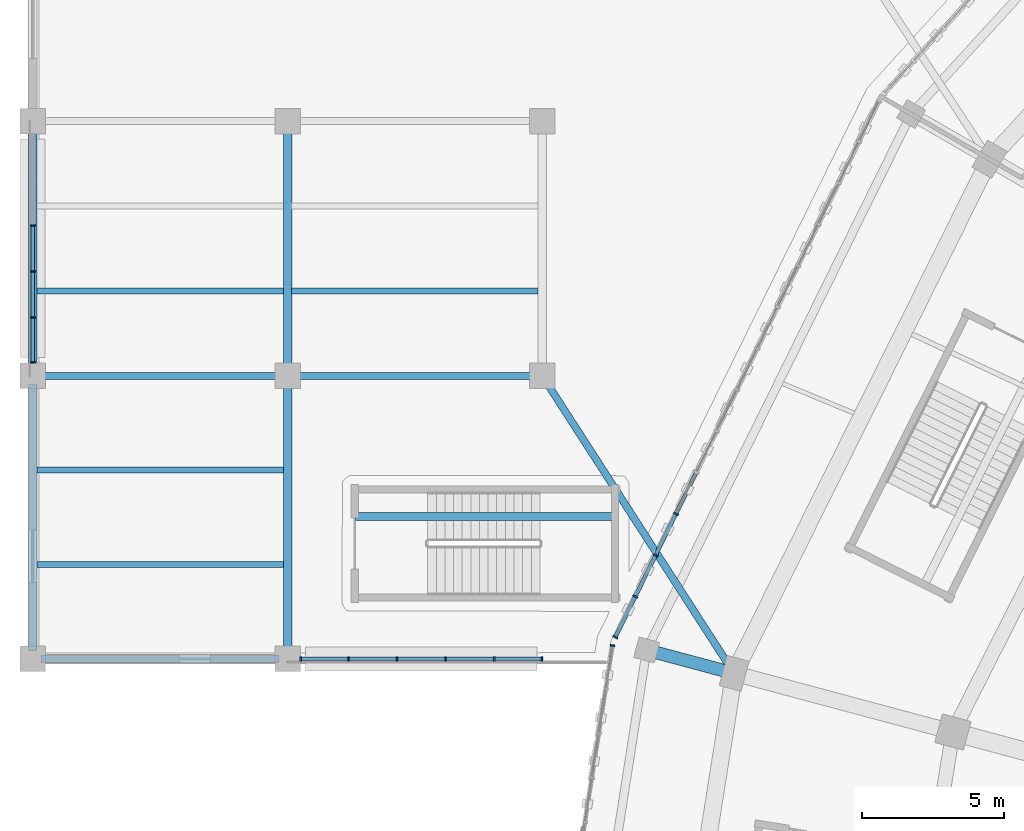
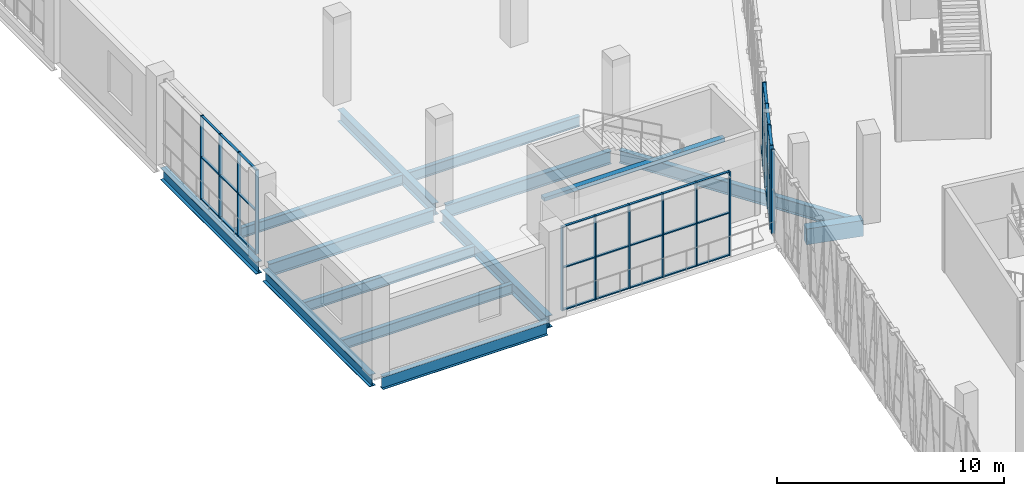
# One storey, part 23 of 183: 49 members, 14 beams, 4 elements without a shape of their own.
"""IFC4 building model written with IfcOpenShell, lengths in metres."""

from ifc_helpers import new_model, si_unit, direction, frame, origin, origin_2d, place, context, subcontext, project, spatial, rectangle, i_section, extrude, material, material_profile, profile_set, type_object, element, aggregate, save


model = new_model("IFC4")

# Units and contexts
model_context = context("Model", 3, precision=1e-05, world=origin(), true_north=direction((0.0, 1.0)))
body_context = subcontext(model_context, "Body", "Model", "MODEL_VIEW")
ifc_project = project(units=[si_unit("LENGTHUNIT", "METRE"), si_unit("AREAUNIT", "SQUARE_METRE"), si_unit("VOLUMEUNIT", "CUBIC_METRE"), si_unit("PLANEANGLEUNIT", "RADIAN"), si_unit("MASSUNIT", "GRAM", prefix="KILO")], contexts=[model_context])

# Site, building, storey
site_placement = place(None, origin())
site = spatial("IfcSite", under=ifc_project, at=site_placement, CompositionType="ELEMENT")
building_placement = place(site_placement, origin())
building = spatial("IfcBuilding", under=site, at=building_placement, Name="Zevraka Park Crest Stadium", CompositionType="ELEMENT")
storey_placement = place(building_placement, frame((0.0, 0.0, 5.39990234375)))
storey = spatial("IfcBuildingStorey", under=building, at=storey_placement, Name="L01", CompositionType="ELEMENT", Elevation=5.39990234375)

# Beams
ifc_material_1 = material(Name="Concrete C40/50", Category="concrete")
ifc_material_profile_1 = material_profile(ifc_material_1, rectangle(XDim=0.449951171875, YDim=0.85009765625, at=origin_2d()), Name="RC 850x450")
ifc_profile_set_1 = profile_set([ifc_material_profile_1], Name="Concrete C40/50")
beam_type_1 = type_object("IfcBeamType", Name="BG03", PredefinedType="BEAM", material=ifc_profile_set_1)
beam_1_placement = place(storey_placement, frame((24.487060546875, 111.56689453125, -0.434814453125), z_axis=(-0.965992888406, 0.258568636051, 0.0), x_axis=(-0.258568636051, -0.965992888406, 0.0)))
element("IfcBeam", 1, at=beam_1_placement, inside=storey, type_object=beam_type_1, Name="Radial Girder BG03 L01-DE-11", PredefinedType="BEAM", context=body_context, shape_type="SweptSolid", body=[
    extrude(rectangle(XDim=0.449951171875, YDim=0.85009765625, at=origin_2d()), origin(), (0.0, 0.0, 1.0), 2.599365234375),
])
ifc_material_2 = material(Name="Steel S355", Category="steel")
ifc_material_profile_2 = material_profile(ifc_material_2, i_section(OverallWidth=0.253662109375, OverallDepth=0.68359375, WebThickness=0.012451171875, FlangeThickness=0.01904296875, at=origin_2d()), Name="UKB 686x254x140")
ifc_profile_set_2 = profile_set([ifc_material_profile_2], Name="Steel S355")
beam_type_2 = type_object("IfcBeamType", Name="BG05", PredefinedType="BEAM", material=ifc_profile_set_2)
for number, where, z_axis, x_axis, name in (
    (2, (0.300048828125, 112.0, -0.649658203125), (1.0, 0.0, 0.0), (0.0, 1.0, 0.0), "Wing Girder BG05 L01-12/N"),
    (3, (0.300048828125, 122.0, -0.649658203125), (1.0, 0.0, 0.0), (0.0, 1.0, 0.0), "Wing Girder BG05 L01-12/P"),
    (4, (9.300048828125, 122.0, -0.649658203125), (1.0, 0.0, 0.0), (0.0, 1.0, 0.0), "Wing Girder BG05 L01-23/P"),
):
    element("IfcBeam", number, at=place(storey_placement, frame(where, z_axis=z_axis, x_axis=x_axis)), inside=storey, type_object=beam_type_2, Name=name, PredefinedType="BEAM", context=body_context, shape_type="SweptSolid", body=[
        extrude(i_section(OverallWidth=0.253662109375, OverallDepth=0.68359375, WebThickness=0.012451171875, FlangeThickness=0.01904296875, at=origin_2d()), origin(), (0.0, 0.0, 1.0), 8.39990234375),
    ])
beam_2_placement = place(storey_placement, frame((18.10791015625, 121.83203125, -0.649658203125), z_axis=(0.541895124662, -0.840446115981, 0.0), x_axis=(0.840446115981, 0.541895124662, 0.0)))
element("IfcBeam", 5, at=beam_2_placement, inside=storey, type_object=beam_type_2, Name="Wing Link Girder BG05 L01-3/P", PredefinedType="BEAM", context=body_context, shape_type="SweptSolid", body=[
    extrude(i_section(OverallWidth=0.253662109375, OverallDepth=0.68359375, WebThickness=0.012451171875, FlangeThickness=0.01904296875, at=origin_2d()), origin(), (0.0, 0.0, 1.0), 11.927001953125),
])
ifc_material_3 = material(Name="Steel S355", Category="steel")
ifc_material_profile_3 = material_profile(ifc_material_3, i_section(OverallWidth=0.300048828125, OverallDepth=0.64990234375, WebThickness=0.01611328125, FlangeThickness=0.031005859375, at=origin_2d()), Name="HEB 650")
ifc_profile_set_3 = profile_set([ifc_material_profile_3], Name="Steel S355")
beam_type_3 = type_object("IfcBeamType", Name="BG07", PredefinedType="BEAM", material=ifc_profile_set_3)
beam_3_placement = place(storey_placement, frame((0.0, 112.300048828125, -0.6328125), z_axis=(0.0, 1.0, 0.0), x_axis=(-1.0, 0.0, 0.0)))
element("IfcBeam", 6, at=beam_3_placement, inside=storey, type_object=beam_type_3, Name="Wing Girder BG07 L01-1/NP", PredefinedType="BEAM", context=body_context, shape_type="SweptSolid", body=[
    extrude(i_section(OverallWidth=0.300048828125, OverallDepth=0.64990234375, WebThickness=0.01611328125, FlangeThickness=0.031005859375, at=origin_2d()), origin(), (0.0, 0.0, 1.0), 9.39990234375),
])
beam_4_placement = place(storey_placement, frame((0.0, 122.300048828125, -0.6328125), z_axis=(0.0, 1.0, 0.0), x_axis=(-1.0, 0.0, 0.0)))
element("IfcBeam", 7, at=beam_4_placement, inside=storey, type_object=beam_type_3, Name="Wing Girder BG07 L01-1/PQ", PredefinedType="BEAM", context=body_context, shape_type="SweptSolid", body=[
    extrude(i_section(OverallWidth=0.300048828125, OverallDepth=0.64990234375, WebThickness=0.01611328125, FlangeThickness=0.031005859375, at=origin_2d()), origin(), (0.0, 0.0, 1.0), 8.39990234375),
])
beam_5_placement = place(storey_placement, frame((9.0, 112.300048828125, -0.6328125), z_axis=(0.0, 1.0, 0.0), x_axis=(-1.0, 0.0, 0.0)))
element("IfcBeam", 8, at=beam_5_placement, inside=storey, type_object=beam_type_3, Name="Wing Girder BG07 L01-2/NP", PredefinedType="BEAM", context=body_context, shape_type="SweptSolid", body=[
    extrude(i_section(OverallWidth=0.300048828125, OverallDepth=0.64990234375, WebThickness=0.01611328125, FlangeThickness=0.031005859375, at=origin_2d()), origin(), (0.0, 0.0, 1.0), 9.39990234375),
])
beam_6_placement = place(storey_placement, frame((9.0, 122.300048828125, -0.6328125), z_axis=(0.0, 1.0, 0.0), x_axis=(-1.0, 0.0, 0.0)))
element("IfcBeam", 9, at=beam_6_placement, inside=storey, type_object=beam_type_3, Name="Wing Girder BG07 L01-2/PQ", PredefinedType="BEAM", context=body_context, shape_type="SweptSolid", body=[
    extrude(i_section(OverallWidth=0.300048828125, OverallDepth=0.64990234375, WebThickness=0.01611328125, FlangeThickness=0.031005859375, at=origin_2d()), origin(), (0.0, 0.0, 1.0), 8.39990234375),
])

# Curtain wall, member
ifc_material_4 = material(Name="Anodised architectural aluminium and laminated safety glass", Category="aluminium")
curtain_wall_type_1 = type_object("IfcCurtainWallType", Name="CW01", PredefinedType="NOTDEFINED", material=ifc_material_4)
curtain_wall_1_placement = place(storey_placement, origin())
curtain_wall_1 = element("IfcCurtainWall", 10, at=curtain_wall_1_placement, inside=storey, type_object=curtain_wall_type_1, Name="Unitised Ring Curtain Wall CW01 L01-11", PredefinedType="NOTDEFINED")
ifc_material_5 = material(Name="Anodised architectural aluminium", Category="aluminium")
ifc_material_profile_4 = material_profile(ifc_material_5, rectangle(XDim=0.159912109375, YDim=0.06005859375, at=origin_2d()), Name="ALU MULLION 160x60")
ifc_profile_set_4 = profile_set([ifc_material_profile_4], Name="Anodised architectural aluminium")
member_type_1 = type_object("IfcMemberType", Name="CM01", PredefinedType="MULLION", material=ifc_profile_set_4)
member_1_placement = place(storey_placement, frame((20.482421875, 112.473388671875, 0.0), z_axis=(0.0, 0.0, 1.0), x_axis=(0.987996544735, -0.154475977394, 0.0)))
member_1 = element("IfcMember", 11, at=member_1_placement, type_object=member_type_1, Name="CW01 mullion 1", PredefinedType="MULLION", context=body_context, shape_type="SweptSolid", body=[
    extrude(rectangle(XDim=0.159912109375, YDim=0.06005859375, at=origin_2d()), origin(), (0.0, 0.0, 1.0), 4.52001953125),
])
aggregate(curtain_wall_1, [member_1])

# Curtain wall, members
ifc_material_6 = material(Name="Anodised architectural aluminium and laminated safety glass", Category="aluminium")
curtain_wall_type_2 = type_object("IfcCurtainWallType", Name="CW28", PredefinedType="NOTDEFINED", material=ifc_material_6)
curtain_wall_2_placement = place(storey_placement, origin())
curtain_wall_2 = element("IfcCurtainWall", 12, at=curtain_wall_2_placement, inside=storey, type_object=curtain_wall_type_2, Name="Wing Curtain Wall CW28 L01-NW-W-2", PredefinedType="NOTDEFINED")
member_2_placement = place(storey_placement, frame((0.0, 122.469970703125, 0.0), z_axis=(0.0, 0.0, 1.0), x_axis=(-1.0, 0.0, 0.0)))
member_2 = element("IfcMember", 13, at=member_2_placement, type_object=member_type_1, Name="CW28 mullion 1", PredefinedType="MULLION", context=body_context, shape_type="SweptSolid", body=[
    extrude(rectangle(XDim=0.159912109375, YDim=0.06005859375, at=origin_2d()), origin(), (0.0, 0.0, 1.0), 4.52001953125),
])
member_3_placement = place(storey_placement, frame((0.0, 124.06396484375, 0.0), z_axis=(0.0, 0.0, 1.0), x_axis=(-1.0, 0.0, 0.0)))
member_3 = element("IfcMember", 14, at=member_3_placement, type_object=member_type_1, Name="CW28 mullion 2", PredefinedType="MULLION", context=body_context, shape_type="SweptSolid", body=[
    extrude(rectangle(XDim=0.159912109375, YDim=0.06005859375, at=origin_2d()), origin(), (0.0, 0.0, 1.0), 4.52001953125),
])
member_4_placement = place(storey_placement, frame((0.0, 125.68798828125, 0.0), z_axis=(0.0, 0.0, 1.0), x_axis=(-1.0, 0.0, 0.0)))
member_4 = element("IfcMember", 15, at=member_4_placement, type_object=member_type_1, Name="CW28 mullion 3", PredefinedType="MULLION", context=body_context, shape_type="SweptSolid", body=[
    extrude(rectangle(XDim=0.159912109375, YDim=0.06005859375, at=origin_2d()), origin(), (0.0, 0.0, 1.0), 4.52001953125),
])
member_5_placement = place(storey_placement, frame((0.0, 127.31201171875, 0.0), z_axis=(0.0, 0.0, 1.0), x_axis=(-1.0, 0.0, 0.0)))
member_5 = element("IfcMember", 16, at=member_5_placement, type_object=member_type_1, Name="CW28 mullion 4", PredefinedType="MULLION", context=body_context, shape_type="SweptSolid", body=[
    extrude(rectangle(XDim=0.159912109375, YDim=0.06005859375, at=origin_2d()), origin(), (0.0, 0.0, 1.0), 4.52001953125),
])

curtain_wall_3_placement = place(storey_placement, origin())
curtain_wall_3 = element("IfcCurtainWall", 17, at=curtain_wall_3_placement, inside=storey, type_object=curtain_wall_type_2, Name="Wing Curtain Wall CW28 L01-NW-S0-2", PredefinedType="NOTDEFINED")
member_6_placement = place(storey_placement, frame((17.985107421875, 112.0, 0.0), z_axis=(0.0, 0.0, 1.0), x_axis=(0.0, -1.0, 0.0)))
member_6 = element("IfcMember", 18, at=member_6_placement, type_object=member_type_1, Name="CW28 mullion 1", PredefinedType="MULLION", context=body_context, shape_type="SweptSolid", body=[
    extrude(rectangle(XDim=0.159912109375, YDim=0.06005859375, at=origin_2d()), origin(), (0.0, 0.0, 1.0), 4.52001953125),
])
member_7_placement = place(storey_placement, frame((16.300048828125, 112.0, 0.0), z_axis=(0.0, 0.0, 1.0), x_axis=(0.0, -1.0, 0.0)))
member_7 = element("IfcMember", 19, at=member_7_placement, type_object=member_type_1, Name="CW28 mullion 2", PredefinedType="MULLION", context=body_context, shape_type="SweptSolid", body=[
    extrude(rectangle(XDim=0.159912109375, YDim=0.06005859375, at=origin_2d()), origin(), (0.0, 0.0, 1.0), 4.52001953125),
])
member_8_placement = place(storey_placement, frame((14.5849609375, 112.0, 0.0), z_axis=(0.0, 0.0, 1.0), x_axis=(0.0, -1.0, 0.0)))
member_8 = element("IfcMember", 20, at=member_8_placement, type_object=member_type_1, Name="CW28 mullion 3", PredefinedType="MULLION", context=body_context, shape_type="SweptSolid", body=[
    extrude(rectangle(XDim=0.159912109375, YDim=0.06005859375, at=origin_2d()), origin(), (0.0, 0.0, 1.0), 4.52001953125),
])
member_9_placement = place(storey_placement, frame((12.8701171875, 112.0, 0.0), z_axis=(0.0, 0.0, 1.0), x_axis=(0.0, -1.0, 0.0)))
member_9 = element("IfcMember", 21, at=member_9_placement, type_object=member_type_1, Name="CW28 mullion 4", PredefinedType="MULLION", context=body_context, shape_type="SweptSolid", body=[
    extrude(rectangle(XDim=0.159912109375, YDim=0.06005859375, at=origin_2d()), origin(), (0.0, 0.0, 1.0), 4.52001953125),
])
member_10_placement = place(storey_placement, frame((11.155029296875, 112.0, 0.0), z_axis=(0.0, 0.0, 1.0), x_axis=(0.0, -1.0, 0.0)))
member_10 = element("IfcMember", 22, at=member_10_placement, type_object=member_type_1, Name="CW28 mullion 5", PredefinedType="MULLION", context=body_context, shape_type="SweptSolid", body=[
    extrude(rectangle(XDim=0.159912109375, YDim=0.06005859375, at=origin_2d()), origin(), (0.0, 0.0, 1.0), 4.52001953125),
])
member_11_placement = place(storey_placement, frame((9.469970703125, 112.0, 0.0), z_axis=(0.0, 0.0, 1.0), x_axis=(0.0, -1.0, 0.0)))
member_11 = element("IfcMember", 23, at=member_11_placement, type_object=member_type_1, Name="CW28 mullion 6", PredefinedType="MULLION", context=body_context, shape_type="SweptSolid", body=[
    extrude(rectangle(XDim=0.159912109375, YDim=0.06005859375, at=origin_2d()), origin(), (0.0, 0.0, 1.0), 4.52001953125),
])

ifc_material_7 = material(Name="Anodised architectural aluminium and laminated safety glass", Category="aluminium")
curtain_wall_type_3 = type_object("IfcCurtainWallType", Name="CW02", PredefinedType="NOTDEFINED", material=ifc_material_7)
curtain_wall_4_placement = place(storey_placement, origin())
curtain_wall_4 = element("IfcCurtainWall", 24, at=curtain_wall_4_placement, inside=storey, type_object=curtain_wall_type_3, Name="Unitised Ring Curtain Wall CW02 L01-10", PredefinedType="NOTDEFINED")
ifc_material_8 = material(Name="Anodised architectural aluminium", Category="aluminium")
ifc_material_profile_5 = material_profile(ifc_material_8, rectangle(XDim=0.179931640625, YDim=0.06494140625, at=origin_2d()), Name="ALU MULLION 180x65")
ifc_profile_set_5 = profile_set([ifc_material_profile_5], Name="Anodised architectural aluminium")
member_type_2 = type_object("IfcMemberType", Name="CM02", PredefinedType="MULLION", material=ifc_profile_set_5)
member_12_placement = place(storey_placement, frame((22.720947265625, 117.12744140625, 0.0), z_axis=(0.0, 0.0, 1.0), x_axis=(0.897252732312, -0.44151730924, 0.0)))
member_12 = element("IfcMember", 25, at=member_12_placement, type_object=member_type_2, Name="CW02 mullion 11", PredefinedType="MULLION", context=body_context, shape_type="SweptSolid", body=[
    extrude(rectangle(XDim=0.179931640625, YDim=0.06494140625, at=origin_2d()), origin(), (0.0, 0.0, 1.0), 4.52001953125),
])
member_13_placement = place(storey_placement, frame((22.001953125, 115.666259765625, 0.0), z_axis=(0.0, 0.0, 1.0), x_axis=(0.897252732312, -0.44151730924, 0.0)))
member_13 = element("IfcMember", 26, at=member_13_placement, type_object=member_type_2, Name="CW02 mullion 12", PredefinedType="MULLION", context=body_context, shape_type="SweptSolid", body=[
    extrude(rectangle(XDim=0.179931640625, YDim=0.06494140625, at=origin_2d()), origin(), (0.0, 0.0, 1.0), 4.52001953125),
])
member_14_placement = place(storey_placement, frame((21.282958984375, 114.205078125, 0.0), z_axis=(0.0, 0.0, 1.0), x_axis=(0.897252732312, -0.44151730924, 0.0)))
member_14 = element("IfcMember", 27, at=member_14_placement, type_object=member_type_2, Name="CW02 mullion 13", PredefinedType="MULLION", context=body_context, shape_type="SweptSolid", body=[
    extrude(rectangle(XDim=0.179931640625, YDim=0.06494140625, at=origin_2d()), origin(), (0.0, 0.0, 1.0), 4.52001953125),
])
member_15_placement = place(storey_placement, frame((20.578369140625, 112.773193359375, 0.0), z_axis=(0.0, 0.0, 1.0), x_axis=(0.897252732312, -0.44151730924, 0.0)))
member_15 = element("IfcMember", 28, at=member_15_placement, type_object=member_type_2, Name="CW02 mullion 14", PredefinedType="MULLION", context=body_context, shape_type="SweptSolid", body=[
    extrude(rectangle(XDim=0.179931640625, YDim=0.06494140625, at=origin_2d()), origin(), (0.0, 0.0, 1.0), 4.52001953125),
])

# Member
ifc_material_9 = material(Name="Anodised architectural aluminium", Category="aluminium")
ifc_material_profile_6 = material_profile(ifc_material_9, rectangle(XDim=0.1201171875, YDim=0.06005859375, at=origin_2d()), Name="ALU TRANSOM 120x60")
ifc_profile_set_6 = profile_set([ifc_material_profile_6], Name="Anodised architectural aluminium")
member_type_3 = type_object("IfcMemberType", Name="CT01", PredefinedType="USERDEFINED", material=ifc_profile_set_6)
member_16_placement = place(storey_placement, frame((0.0, 122.5, 0.030029296875), z_axis=(0.0, 1.0, 0.0), x_axis=(-1.0, 0.0, 0.0)))
member_16 = element("IfcMember", 29, at=member_16_placement, type_object=member_type_3, Name="CW28 transom 1.1", ObjectType="TRANSOM", PredefinedType="USERDEFINED", context=body_context, shape_type="SweptSolid", body=[
    extrude(rectangle(XDim=0.1201171875, YDim=0.06005859375, at=origin_2d()), origin(), (0.0, 0.0, 1.0), 1.533935546875),
])

member_17_placement = place(storey_placement, frame((0.0, 122.5, 2.300048828125), z_axis=(0.0, 1.0, 0.0), x_axis=(-1.0, 0.0, 0.0)))
member_17 = element("IfcMember", 30, at=member_17_placement, type_object=member_type_3, Name="CW28 transom 1.2", ObjectType="TRANSOM", PredefinedType="USERDEFINED", context=body_context, shape_type="SweptSolid", body=[
    extrude(rectangle(XDim=0.1201171875, YDim=0.06005859375, at=origin_2d()), origin(), (0.0, 0.0, 1.0), 1.533935546875),
])

member_18_placement = place(storey_placement, frame((0.0, 122.5, 4.489990234375), z_axis=(0.0, 1.0, 0.0), x_axis=(-1.0, 0.0, 0.0)))
member_18 = element("IfcMember", 31, at=member_18_placement, type_object=member_type_3, Name="CW28 transom 1.3", ObjectType="TRANSOM", PredefinedType="USERDEFINED", context=body_context, shape_type="SweptSolid", body=[
    extrude(rectangle(XDim=0.1201171875, YDim=0.06005859375, at=origin_2d()), origin(), (0.0, 0.0, 1.0), 1.533935546875),
])

member_19_placement = place(storey_placement, frame((0.0, 124.093994140625, 0.030029296875), z_axis=(0.0, 1.0, 0.0), x_axis=(-1.0, 0.0, 0.0)))
member_19 = element("IfcMember", 32, at=member_19_placement, type_object=member_type_3, Name="CW28 transom 2.1", ObjectType="TRANSOM", PredefinedType="USERDEFINED", context=body_context, shape_type="SweptSolid", body=[
    extrude(rectangle(XDim=0.1201171875, YDim=0.06005859375, at=origin_2d()), origin(), (0.0, 0.0, 1.0), 1.56396484375),
])

member_20_placement = place(storey_placement, frame((0.0, 124.093994140625, 2.300048828125), z_axis=(0.0, 1.0, 0.0), x_axis=(-1.0, 0.0, 0.0)))
member_20 = element("IfcMember", 33, at=member_20_placement, type_object=member_type_3, Name="CW28 transom 2.2", ObjectType="TRANSOM", PredefinedType="USERDEFINED", context=body_context, shape_type="SweptSolid", body=[
    extrude(rectangle(XDim=0.1201171875, YDim=0.06005859375, at=origin_2d()), origin(), (0.0, 0.0, 1.0), 1.56396484375),
])

member_21_placement = place(storey_placement, frame((0.0, 124.093994140625, 4.489990234375), z_axis=(0.0, 1.0, 0.0), x_axis=(-1.0, 0.0, 0.0)))
member_21 = element("IfcMember", 34, at=member_21_placement, type_object=member_type_3, Name="CW28 transom 2.3", ObjectType="TRANSOM", PredefinedType="USERDEFINED", context=body_context, shape_type="SweptSolid", body=[
    extrude(rectangle(XDim=0.1201171875, YDim=0.06005859375, at=origin_2d()), origin(), (0.0, 0.0, 1.0), 1.56396484375),
])

member_22_placement = place(storey_placement, frame((0.0, 125.718017578125, 0.030029296875), z_axis=(0.0, 1.0, 0.0), x_axis=(-1.0, 0.0, 0.0)))
member_22 = element("IfcMember", 35, at=member_22_placement, type_object=member_type_3, Name="CW28 transom 3.1", ObjectType="TRANSOM", PredefinedType="USERDEFINED", context=body_context, shape_type="SweptSolid", body=[
    extrude(rectangle(XDim=0.1201171875, YDim=0.06005859375, at=origin_2d()), origin(), (0.0, 0.0, 1.0), 1.56396484375),
])

member_23_placement = place(storey_placement, frame((0.0, 125.718017578125, 2.300048828125), z_axis=(0.0, 1.0, 0.0), x_axis=(-1.0, 0.0, 0.0)))
member_23 = element("IfcMember", 36, at=member_23_placement, type_object=member_type_3, Name="CW28 transom 3.2", ObjectType="TRANSOM", PredefinedType="USERDEFINED", context=body_context, shape_type="SweptSolid", body=[
    extrude(rectangle(XDim=0.1201171875, YDim=0.06005859375, at=origin_2d()), origin(), (0.0, 0.0, 1.0), 1.56396484375),
])

member_24_placement = place(storey_placement, frame((0.0, 125.718017578125, 4.489990234375), z_axis=(0.0, 1.0, 0.0), x_axis=(-1.0, 0.0, 0.0)))
member_24 = element("IfcMember", 37, at=member_24_placement, type_object=member_type_3, Name="CW28 transom 3.3", ObjectType="TRANSOM", PredefinedType="USERDEFINED", context=body_context, shape_type="SweptSolid", body=[
    extrude(rectangle(XDim=0.1201171875, YDim=0.06005859375, at=origin_2d()), origin(), (0.0, 0.0, 1.0), 1.56396484375),
])

aggregate(curtain_wall_2, [member_2, member_3, member_4, member_5, member_16, member_17, member_18, member_19, member_20, member_21, member_22, member_23, member_24])

member_25_placement = place(storey_placement, frame((17.955078125, 112.0, 0.030029296875), z_axis=(-1.0, 0.0, 0.0), x_axis=(0.0, -1.0, 0.0)))
member_25 = element("IfcMember", 38, at=member_25_placement, type_object=member_type_3, Name="CW28 transom 1.1", ObjectType="TRANSOM", PredefinedType="USERDEFINED", context=body_context, shape_type="SweptSolid", body=[
    extrude(rectangle(XDim=0.1201171875, YDim=0.06005859375, at=origin_2d()), origin(), (0.0, 0.0, 1.0), 1.625),
])

member_26_placement = place(storey_placement, frame((17.955078125, 112.0, 2.300048828125), z_axis=(-1.0, 0.0, 0.0), x_axis=(0.0, -1.0, 0.0)))
member_26 = element("IfcMember", 39, at=member_26_placement, type_object=member_type_3, Name="CW28 transom 1.2", ObjectType="TRANSOM", PredefinedType="USERDEFINED", context=body_context, shape_type="SweptSolid", body=[
    extrude(rectangle(XDim=0.1201171875, YDim=0.06005859375, at=origin_2d()), origin(), (0.0, 0.0, 1.0), 1.625),
])

member_27_placement = place(storey_placement, frame((17.955078125, 112.0, 4.489990234375), z_axis=(-1.0, 0.0, 0.0), x_axis=(0.0, -1.0, 0.0)))
member_27 = element("IfcMember", 40, at=member_27_placement, type_object=member_type_3, Name="CW28 transom 1.3", ObjectType="TRANSOM", PredefinedType="USERDEFINED", context=body_context, shape_type="SweptSolid", body=[
    extrude(rectangle(XDim=0.1201171875, YDim=0.06005859375, at=origin_2d()), origin(), (0.0, 0.0, 1.0), 1.625),
])

member_28_placement = place(storey_placement, frame((16.27001953125, 112.0, 0.030029296875), z_axis=(-1.0, 0.0, 0.0), x_axis=(0.0, -1.0, 0.0)))
member_28 = element("IfcMember", 41, at=member_28_placement, type_object=member_type_3, Name="CW28 transom 2.1", ObjectType="TRANSOM", PredefinedType="USERDEFINED", context=body_context, shape_type="SweptSolid", body=[
    extrude(rectangle(XDim=0.1201171875, YDim=0.06005859375, at=origin_2d()), origin(), (0.0, 0.0, 1.0), 1.655029296875),
])

member_29_placement = place(storey_placement, frame((16.27001953125, 112.0, 2.300048828125), z_axis=(-1.0, 0.0, 0.0), x_axis=(0.0, -1.0, 0.0)))
member_29 = element("IfcMember", 42, at=member_29_placement, type_object=member_type_3, Name="CW28 transom 2.2", ObjectType="TRANSOM", PredefinedType="USERDEFINED", context=body_context, shape_type="SweptSolid", body=[
    extrude(rectangle(XDim=0.1201171875, YDim=0.06005859375, at=origin_2d()), origin(), (0.0, 0.0, 1.0), 1.655029296875),
])

member_30_placement = place(storey_placement, frame((16.27001953125, 112.0, 4.489990234375), z_axis=(-1.0, 0.0, 0.0), x_axis=(0.0, -1.0, 0.0)))
member_30 = element("IfcMember", 43, at=member_30_placement, type_object=member_type_3, Name="CW28 transom 2.3", ObjectType="TRANSOM", PredefinedType="USERDEFINED", context=body_context, shape_type="SweptSolid", body=[
    extrude(rectangle(XDim=0.1201171875, YDim=0.06005859375, at=origin_2d()), origin(), (0.0, 0.0, 1.0), 1.655029296875),
])

member_31_placement = place(storey_placement, frame((14.554931640625, 112.0, 0.030029296875), z_axis=(-1.0, 0.0, 0.0), x_axis=(0.0, -1.0, 0.0)))
member_31 = element("IfcMember", 44, at=member_31_placement, type_object=member_type_3, Name="CW28 transom 3.1", ObjectType="TRANSOM", PredefinedType="USERDEFINED", context=body_context, shape_type="SweptSolid", body=[
    extrude(rectangle(XDim=0.1201171875, YDim=0.06005859375, at=origin_2d()), origin(), (0.0, 0.0, 1.0), 1.655029296875),
])

member_32_placement = place(storey_placement, frame((14.554931640625, 112.0, 2.300048828125), z_axis=(-1.0, 0.0, 0.0), x_axis=(0.0, -1.0, 0.0)))
member_32 = element("IfcMember", 45, at=member_32_placement, type_object=member_type_3, Name="CW28 transom 3.2", ObjectType="TRANSOM", PredefinedType="USERDEFINED", context=body_context, shape_type="SweptSolid", body=[
    extrude(rectangle(XDim=0.1201171875, YDim=0.06005859375, at=origin_2d()), origin(), (0.0, 0.0, 1.0), 1.655029296875),
])

member_33_placement = place(storey_placement, frame((14.554931640625, 112.0, 4.489990234375), z_axis=(-1.0, 0.0, 0.0), x_axis=(0.0, -1.0, 0.0)))
member_33 = element("IfcMember", 46, at=member_33_placement, type_object=member_type_3, Name="CW28 transom 3.3", ObjectType="TRANSOM", PredefinedType="USERDEFINED", context=body_context, shape_type="SweptSolid", body=[
    extrude(rectangle(XDim=0.1201171875, YDim=0.06005859375, at=origin_2d()), origin(), (0.0, 0.0, 1.0), 1.655029296875),
])

member_34_placement = place(storey_placement, frame((12.840087890625, 112.0, 0.030029296875), z_axis=(-1.0, 0.0, 0.0), x_axis=(0.0, -1.0, 0.0)))
member_34 = element("IfcMember", 47, at=member_34_placement, type_object=member_type_3, Name="CW28 transom 4.1", ObjectType="TRANSOM", PredefinedType="USERDEFINED", context=body_context, shape_type="SweptSolid", body=[
    extrude(rectangle(XDim=0.1201171875, YDim=0.06005859375, at=origin_2d()), origin(), (0.0, 0.0, 1.0), 1.655029296875),
])

member_35_placement = place(storey_placement, frame((12.840087890625, 112.0, 2.300048828125), z_axis=(-1.0, 0.0, 0.0), x_axis=(0.0, -1.0, 0.0)))
member_35 = element("IfcMember", 48, at=member_35_placement, type_object=member_type_3, Name="CW28 transom 4.2", ObjectType="TRANSOM", PredefinedType="USERDEFINED", context=body_context, shape_type="SweptSolid", body=[
    extrude(rectangle(XDim=0.1201171875, YDim=0.06005859375, at=origin_2d()), origin(), (0.0, 0.0, 1.0), 1.655029296875),
])

member_36_placement = place(storey_placement, frame((12.840087890625, 112.0, 4.489990234375), z_axis=(-1.0, 0.0, 0.0), x_axis=(0.0, -1.0, 0.0)))
member_36 = element("IfcMember", 49, at=member_36_placement, type_object=member_type_3, Name="CW28 transom 4.3", ObjectType="TRANSOM", PredefinedType="USERDEFINED", context=body_context, shape_type="SweptSolid", body=[
    extrude(rectangle(XDim=0.1201171875, YDim=0.06005859375, at=origin_2d()), origin(), (0.0, 0.0, 1.0), 1.655029296875),
])

member_37_placement = place(storey_placement, frame((11.125, 112.0, 0.030029296875), z_axis=(-1.0, 0.0, 0.0), x_axis=(0.0, -1.0, 0.0)))
member_37 = element("IfcMember", 50, at=member_37_placement, type_object=member_type_3, Name="CW28 transom 5.1", ObjectType="TRANSOM", PredefinedType="USERDEFINED", context=body_context, shape_type="SweptSolid", body=[
    extrude(rectangle(XDim=0.1201171875, YDim=0.06005859375, at=origin_2d()), origin(), (0.0, 0.0, 1.0), 1.625),
])

member_38_placement = place(storey_placement, frame((11.125, 112.0, 2.300048828125), z_axis=(-1.0, 0.0, 0.0), x_axis=(0.0, -1.0, 0.0)))
member_38 = element("IfcMember", 51, at=member_38_placement, type_object=member_type_3, Name="CW28 transom 5.2", ObjectType="TRANSOM", PredefinedType="USERDEFINED", context=body_context, shape_type="SweptSolid", body=[
    extrude(rectangle(XDim=0.1201171875, YDim=0.06005859375, at=origin_2d()), origin(), (0.0, 0.0, 1.0), 1.625),
])

member_39_placement = place(storey_placement, frame((11.125, 112.0, 4.489990234375), z_axis=(-1.0, 0.0, 0.0), x_axis=(0.0, -1.0, 0.0)))
member_39 = element("IfcMember", 52, at=member_39_placement, type_object=member_type_3, Name="CW28 transom 5.3", ObjectType="TRANSOM", PredefinedType="USERDEFINED", context=body_context, shape_type="SweptSolid", body=[
    extrude(rectangle(XDim=0.1201171875, YDim=0.06005859375, at=origin_2d()), origin(), (0.0, 0.0, 1.0), 1.625),
])

aggregate(curtain_wall_3, [member_6, member_7, member_8, member_9, member_10, member_11, member_25, member_26, member_27, member_28, member_29, member_30, member_31, member_32, member_33, member_34, member_35, member_36, member_37, member_38, member_39])

ifc_material_10 = material(Name="Anodised architectural aluminium", Category="aluminium")
ifc_material_profile_7 = material_profile(ifc_material_10, rectangle(XDim=0.139892578125, YDim=0.06494140625, at=origin_2d()), Name="ALU TRANSOM 140x65")
ifc_profile_set_7 = profile_set([ifc_material_profile_7], Name="Anodised architectural aluminium")
member_type_4 = type_object("IfcMemberType", Name="CT02", PredefinedType="USERDEFINED", material=ifc_profile_set_7)
member_40_placement = place(storey_placement, frame((23.425537109375, 118.5595703125, 0.03271484375), z_axis=(-0.441457762434, -0.897282031463, 0.0), x_axis=(0.897282031463, -0.441457762434, 0.0)))
member_40 = element("IfcMember", 53, at=member_40_placement, type_object=member_type_4, Name="CW02 transom 10.1", ObjectType="TRANSOM", PredefinedType="USERDEFINED", context=body_context, shape_type="SweptSolid", body=[
    extrude(rectangle(XDim=0.139892578125, YDim=0.06494140625, at=origin_2d()), origin(), (0.0, 0.0, 1.0), 1.5634765625),
])

member_41_placement = place(storey_placement, frame((22.70654296875, 117.098388671875, 0.03271484375), z_axis=(-0.441457762434, -0.897282031463, 0.0), x_axis=(0.897282031463, -0.441457762434, 0.0)))
member_41 = element("IfcMember", 54, at=member_41_placement, type_object=member_type_4, Name="CW02 transom 11.1", ObjectType="TRANSOM", PredefinedType="USERDEFINED", context=body_context, shape_type="SweptSolid", body=[
    extrude(rectangle(XDim=0.139892578125, YDim=0.06494140625, at=origin_2d()), origin(), (0.0, 0.0, 1.0), 1.5634765625),
])

member_42_placement = place(storey_placement, frame((22.70654296875, 117.098388671875, 2.400146484375), z_axis=(-0.441457762434, -0.897282031463, 0.0), x_axis=(0.897282031463, -0.441457762434, 0.0)))
member_42 = element("IfcMember", 55, at=member_42_placement, type_object=member_type_4, Name="CW02 transom 11.2", ObjectType="TRANSOM", PredefinedType="USERDEFINED", context=body_context, shape_type="SweptSolid", body=[
    extrude(rectangle(XDim=0.139892578125, YDim=0.06494140625, at=origin_2d()), origin(), (0.0, 0.0, 1.0), 1.5634765625),
])

member_43_placement = place(storey_placement, frame((22.70654296875, 117.098388671875, 4.487548828125), z_axis=(-0.441457762434, -0.897282031463, 0.0), x_axis=(0.897282031463, -0.441457762434, 0.0)))
member_43 = element("IfcMember", 56, at=member_43_placement, type_object=member_type_4, Name="CW02 transom 11.3", ObjectType="TRANSOM", PredefinedType="USERDEFINED", context=body_context, shape_type="SweptSolid", body=[
    extrude(rectangle(XDim=0.139892578125, YDim=0.06494140625, at=origin_2d()), origin(), (0.0, 0.0, 1.0), 1.5634765625),
])

member_44_placement = place(storey_placement, frame((21.987548828125, 115.63720703125, 0.03271484375), z_axis=(-0.441457762434, -0.897282031463, 0.0), x_axis=(0.897282031463, -0.441457762434, 0.0)))
member_44 = element("IfcMember", 57, at=member_44_placement, type_object=member_type_4, Name="CW02 transom 12.1", ObjectType="TRANSOM", PredefinedType="USERDEFINED", context=body_context, shape_type="SweptSolid", body=[
    extrude(rectangle(XDim=0.139892578125, YDim=0.06494140625, at=origin_2d()), origin(), (0.0, 0.0, 1.0), 1.5634765625),
])

member_45_placement = place(storey_placement, frame((21.987548828125, 115.63720703125, 2.400146484375), z_axis=(-0.441457762434, -0.897282031463, 0.0), x_axis=(0.897282031463, -0.441457762434, 0.0)))
member_45 = element("IfcMember", 58, at=member_45_placement, type_object=member_type_4, Name="CW02 transom 12.2", ObjectType="TRANSOM", PredefinedType="USERDEFINED", context=body_context, shape_type="SweptSolid", body=[
    extrude(rectangle(XDim=0.139892578125, YDim=0.06494140625, at=origin_2d()), origin(), (0.0, 0.0, 1.0), 1.5634765625),
])

member_46_placement = place(storey_placement, frame((21.987548828125, 115.63720703125, 4.487548828125), z_axis=(-0.441457762434, -0.897282031463, 0.0), x_axis=(0.897282031463, -0.441457762434, 0.0)))
member_46 = element("IfcMember", 59, at=member_46_placement, type_object=member_type_4, Name="CW02 transom 12.3", ObjectType="TRANSOM", PredefinedType="USERDEFINED", context=body_context, shape_type="SweptSolid", body=[
    extrude(rectangle(XDim=0.139892578125, YDim=0.06494140625, at=origin_2d()), origin(), (0.0, 0.0, 1.0), 1.5634765625),
])

member_47_placement = place(storey_placement, frame((21.2685546875, 114.176025390625, 0.03271484375), z_axis=(-0.441399645127, -0.897310622517, 0.0), x_axis=(0.897310622517, -0.441399645127, 0.0)))
member_47 = element("IfcMember", 60, at=member_47_placement, type_object=member_type_4, Name="CW02 transom 13.1", ObjectType="TRANSOM", PredefinedType="USERDEFINED", context=body_context, shape_type="SweptSolid", body=[
    extrude(rectangle(XDim=0.139892578125, YDim=0.06494140625, at=origin_2d()), origin(), (0.0, 0.0, 1.0), 1.531005859375),
])

member_48_placement = place(storey_placement, frame((21.2685546875, 114.176025390625, 2.400146484375), z_axis=(-0.441399645127, -0.897310622517, 0.0), x_axis=(0.897310622517, -0.441399645127, 0.0)))
member_48 = element("IfcMember", 61, at=member_48_placement, type_object=member_type_4, Name="CW02 transom 13.2", ObjectType="TRANSOM", PredefinedType="USERDEFINED", context=body_context, shape_type="SweptSolid", body=[
    extrude(rectangle(XDim=0.139892578125, YDim=0.06494140625, at=origin_2d()), origin(), (0.0, 0.0, 1.0), 1.531005859375),
])

member_49_placement = place(storey_placement, frame((21.2685546875, 114.176025390625, 4.487548828125), z_axis=(-0.441399645127, -0.897310622517, 0.0), x_axis=(0.897310622517, -0.441399645127, 0.0)))
member_49 = element("IfcMember", 62, at=member_49_placement, type_object=member_type_4, Name="CW02 transom 13.3", ObjectType="TRANSOM", PredefinedType="USERDEFINED", context=body_context, shape_type="SweptSolid", body=[
    extrude(rectangle(XDim=0.139892578125, YDim=0.06494140625, at=origin_2d()), origin(), (0.0, 0.0, 1.0), 1.531005859375),
])

aggregate(curtain_wall_4, [member_12, member_13, member_14, member_15, member_40, member_41, member_42, member_43, member_44, member_45, member_46, member_47, member_48, member_49])

# Beams
ifc_material_11 = material(Name="Steel S355", Category="steel")
ifc_material_profile_8 = material_profile(ifc_material_11, i_section(OverallWidth=0.2099609375, OverallDepth=0.550048828125, WebThickness=0.010986328125, FlangeThickness=0.01708984375, at=origin_2d()), Name="IPE 550")
ifc_profile_set_8 = profile_set([ifc_material_profile_8], Name="Steel S355")
beam_type_4 = type_object("IfcBeamType", Name="SJ04", PredefinedType="JOIST", material=ifc_profile_set_8)
for number, where, z_axis, x_axis, name in (
    (63, (0.14501953125, 115.3330078125, -0.5849609375), (1.0, 0.0, 0.0), (0.0, 1.0, 0.0), "Wing Joist SJ04 L01-1/N-1"),
    (64, (0.14501953125, 118.6669921875, -0.5849609375), (1.0, 0.0, 0.0), (0.0, 1.0, 0.0), "Wing Joist SJ04 L01-1/N-2"),
    (65, (0.14501953125, 125.0, -0.5849609375), (1.0, 0.0, 0.0), (0.0, 1.0, 0.0), "Wing Joist SJ04 L01-1/P-1"),
    (66, (9.14501953125, 125.0, -0.5849609375), (1.0, 0.0, 0.0), (0.0, 1.0, 0.0), "Wing Joist SJ04 L01-2/P-1"),
):
    element("IfcBeam", number, at=place(storey_placement, frame(where, z_axis=z_axis, x_axis=x_axis)), inside=storey, type_object=beam_type_4, Name=name, PredefinedType="JOIST", context=body_context, shape_type="SweptSolid", body=[
        extrude(i_section(OverallWidth=0.2099609375, OverallDepth=0.550048828125, WebThickness=0.010986328125, FlangeThickness=0.01708984375, at=origin_2d()), origin(), (0.0, 0.0, 1.0), 8.7099609375),
    ])
ifc_material_12 = material(Name="Concrete C40/50", Category="concrete")
ifc_material_profile_9 = material_profile(ifc_material_12, rectangle(XDim=0.280029296875, YDim=0.199951171875, at=origin_2d()), Name="RC 200x280")
ifc_profile_set_9 = profile_set([ifc_material_profile_9], Name="Concrete C40/50")
beam_type_5 = type_object("IfcBeamType", Name="SJ13", PredefinedType="JOIST", material=ifc_profile_set_9)
beam_7_placement = place(storey_placement, frame((11.39990234375, 117.034912109375, 2.300048828125), z_axis=(1.0, 0.0, 0.0), x_axis=(0.0, 1.0, 0.0)))
element("IfcBeam", 67, at=beam_7_placement, inside=storey, type_object=beam_type_5, Name="Stair Upper-Flight Longitudinal Stringer SJ13 ST48-L01", PredefinedType="JOIST", context=body_context, shape_type="SweptSolid", body=[
    extrude(rectangle(XDim=0.280029296875, YDim=0.199951171875, at=origin_2d()), origin(), (0.0, 0.0, 1.0), 9.2001953125),
])

save(model, "model.ifc")
